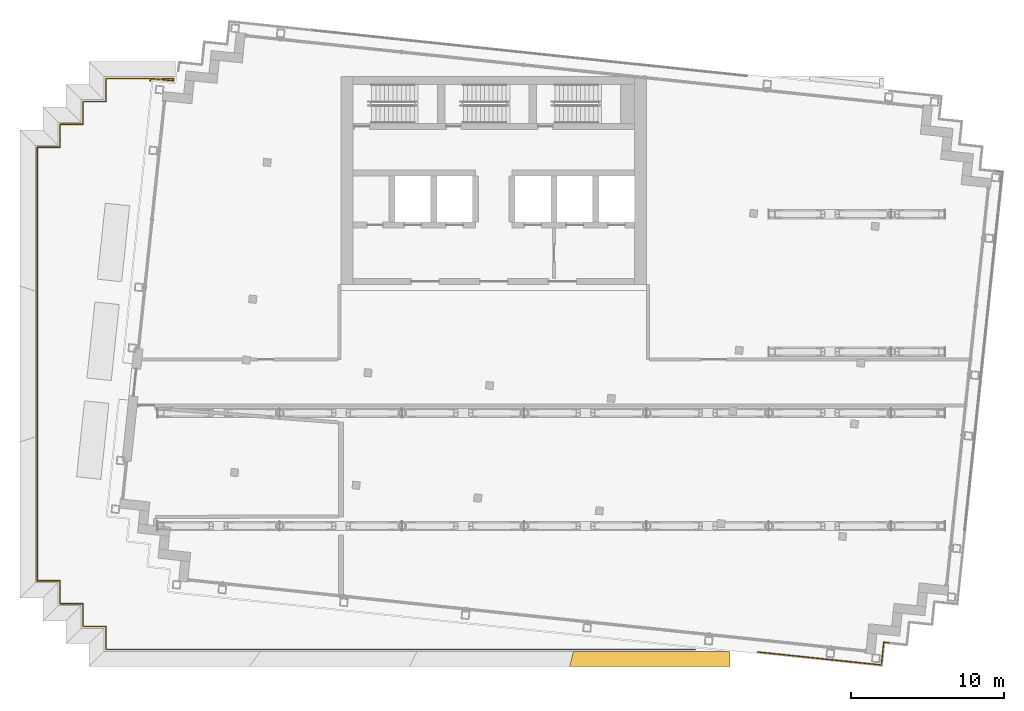
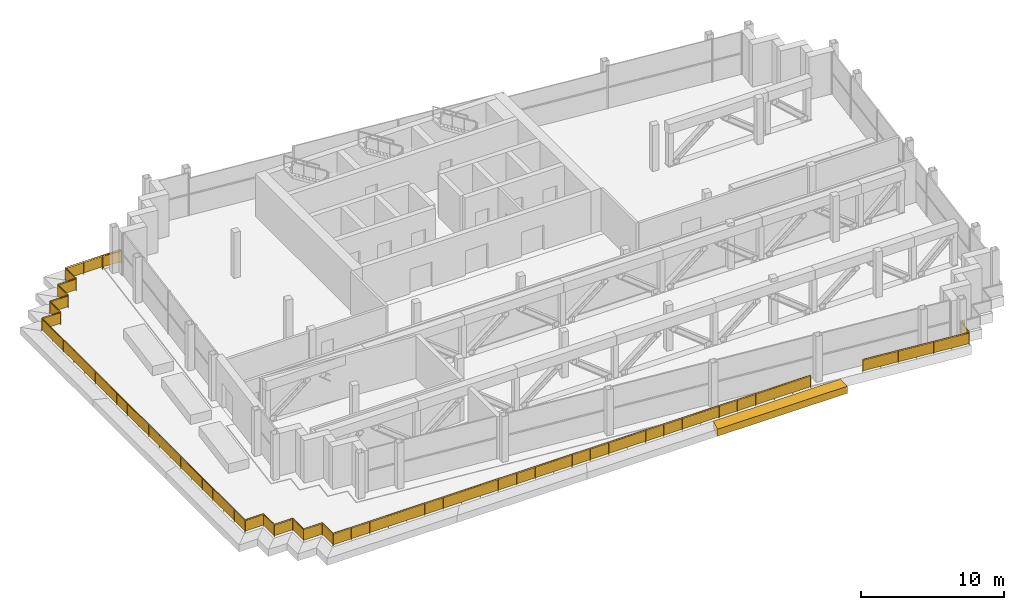
# One storey, part 15 of 18: 2 railings, 1 shading device.
"""IFC4 building model written with IfcOpenShell, lengths in metres."""

from ifc_helpers import new_model, si_unit, direction, frame, origin, origin_2d, place, context, subcontext, project, spatial, polyline, rectangle, circle, outline, extrude, material, layer, layer_set, type_object, element, save


model = new_model("IFC4")

# Units and contexts
model_context = context("Model", 3, precision=1e-05, world=origin(), true_north=direction((0.0, 1.0)))
body_context = subcontext(model_context, "Body", "Model", "MODEL_VIEW")
ifc_project = project(units=[si_unit("LENGTHUNIT", "METRE"), si_unit("AREAUNIT", "SQUARE_METRE"), si_unit("VOLUMEUNIT", "CUBIC_METRE"), si_unit("PLANEANGLEUNIT", "RADIAN"), si_unit("MASSUNIT", "GRAM", prefix="KILO")], contexts=[model_context])

# Site, building, storey
site_placement = place(None, origin())
site = spatial("IfcSite", under=ifc_project, at=site_placement, CompositionType="ELEMENT")
building_placement = place(site_placement, origin())
building = spatial("IfcBuilding", under=site, at=building_placement, Name="Vidyagriha Tower", CompositionType="ELEMENT")
storey_placement = place(building_placement, frame((0.0, 0.0, 249.199951171875)))
storey = spatial("IfcBuildingStorey", under=building, at=storey_placement, Name="L64", CompositionType="ELEMENT", Elevation=249.199951171875)

# Shading device
ifc_material_1 = material(Name="Precast concrete C40/50 with brick facing", Category="concrete")
ifc_layer = layer(ifc_material_1, 1.0)
ifc_layer_set = layer_set([ifc_layer], Name="Precast concrete C40/50 with brick facing")
shading_device_type = type_object("IfcShadingDeviceType", Name="Brick chhajja fascia 600", PredefinedType="USERDEFINED", material=ifc_layer_set)
shading_device_placement = place(storey_placement, frame((0.0, 0.0, -0.599853515625)))
element("IfcShadingDevice", 1, at=shading_device_placement, inside=storey, type_object=shading_device_type, Name="Chhajja fascia TR-B6-1 20", ObjectType="CHHAJJA", PredefinedType="USERDEFINED", context=body_context, shape_type="SweptSolid", body=[
    extrude(outline(polyline([(5.2080078125, -17.60009765625), (4.9580078125, -18.60009765625), (15.444091796875, -18.60009765625), (15.444091796875, -17.60009765625), (5.2080078125, -17.60009765625)])), origin(), (0.0, 0.0, 1.0), 0.599853515625),
])

# Railings
ifc_material_2 = material(Name="Steel ASTM A500 Grade C black painted", Category="steel")
railing_type_1 = type_object("IfcRailingType", Name="Gallery guard 1100", PredefinedType="GUARDRAIL", material=ifc_material_2)
railing_1_placement = place(storey_placement, frame((25.8271484375, -17.0322265625, 0.0)))
element("IfcRailing", 2, at=railing_1_placement, inside=storey, type_object=railing_type_1, Name="Gallery guard L64 9", PredefinedType="GUARDRAIL", context=body_context, shape_type="SweptSolid", body=[
    extrude(circle(Radius=0.02490234375, at=origin_2d()), frame((0.0, 0.0, 1.0751953125), z_axis=(-0.994526328277, 0.104486278354, 0.0), x_axis=(-0.104486278354, -0.994526328277, 0.0)), (0.0, 0.0, 1.0), 0.320068359375),
    extrude(circle(Radius=0.02490234375, at=origin_2d()), frame((-0.318359375, 0.033447265625, 1.0751953125), z_axis=(-0.104498377516, -0.994525057048, 0.0), x_axis=(0.994525057048, -0.104498377516, 0.0)), (0.0, 0.0, 1.0), 1.5),
    extrude(circle(Radius=0.02490234375, at=origin_2d()), frame((-0.47509765625, -1.458251953125, 1.0751953125), z_axis=(-0.994522833816, 0.104519534149, 0.0), x_axis=(-0.104519534149, -0.994522833816, 0.0)), (0.0, 0.0, 1.0), 8.152099609375),
    extrude(circle(Radius=0.02001953125, at=origin_2d()), origin(), (0.0, 0.0, 1.0), 1.050048828125),
    extrude(circle(Radius=0.02001953125, at=origin_2d()), frame((-0.318359375, 0.033447265625, 0.0)), (0.0, 0.0, 1.0), 1.050048828125),
    extrude(circle(Radius=0.02001953125, at=origin_2d()), frame((-0.47509765625, -1.458251953125, 0.0)), (0.0, 0.0, 1.0), 1.050048828125),
    extrude(circle(Radius=0.02001953125, at=origin_2d()), frame((-1.826416015625, -1.316162109375, 0.0)), (0.0, 0.0, 1.0), 1.050048828125),
    extrude(circle(Radius=0.02001953125, at=origin_2d()), frame((-3.177490234375, -1.17431640625, 0.0)), (0.0, 0.0, 1.0), 1.050048828125),
    extrude(circle(Radius=0.02001953125, at=origin_2d()), frame((-4.52880859375, -1.0322265625, 0.0)), (0.0, 0.0, 1.0), 1.050048828125),
    extrude(circle(Radius=0.02001953125, at=origin_2d()), frame((-5.880126953125, -0.89013671875, 0.0)), (0.0, 0.0, 1.0), 1.050048828125),
    extrude(circle(Radius=0.02001953125, at=origin_2d()), frame((-7.231201171875, -0.748291015625, 0.0)), (0.0, 0.0, 1.0), 1.050048828125),
    extrude(circle(Radius=0.02001953125, at=origin_2d()), frame((-8.58251953125, -0.606201171875, 0.0)), (0.0, 0.0, 1.0), 1.050048828125),
    extrude(rectangle(XDim=0.010009765625, YDim=0.900146484375, at=origin_2d()), frame((0.0, 0.0, 0.550048828125), z_axis=(-0.994526328277, 0.104486278354, 0.0), x_axis=(-0.104486278354, -0.994526328277, 0.0)), (0.0, 0.0, 1.0), 0.320068359375),
    extrude(rectangle(XDim=0.010009765625, YDim=0.900146484375, at=origin_2d()), frame((-0.318359375, 0.033447265625, 0.550048828125), z_axis=(-0.104498377516, -0.994525057048, 0.0), x_axis=(0.994525057048, -0.104498377516, 0.0)), (0.0, 0.0, 1.0), 1.5),
    extrude(rectangle(XDim=0.010009765625, YDim=0.900146484375, at=origin_2d()), frame((-0.47509765625, -1.458251953125, 0.550048828125), z_axis=(-0.994522833816, 0.104519534149, 0.0), x_axis=(-0.104519534149, -0.994522833816, 0.0)), (0.0, 0.0, 1.0), 8.152099609375),
])
ifc_material_3 = material(Name="Steel ASTM A500 Grade C black painted", Category="steel")
railing_type_2 = type_object("IfcRailingType", Name="Terrace guard 1100", PredefinedType="GUARDRAIL", material=ifc_material_3)
railing_2_placement = place(storey_placement, frame((13.154296875, -17.47998046875, 0.0)))
element("IfcRailing", 3, at=railing_2_placement, inside=storey, type_object=railing_type_2, Name="Terrace guard TR-B6-1 1", PredefinedType="GUARDRAIL", context=body_context, shape_type="SweptSolid", body=[
    extrude(circle(Radius=0.02490234375, at=origin_2d()), frame((0.0, 0.0, 1.0751953125), z_axis=(-1.0, 0.0, 0.0), x_axis=(0.0, -1.0, 0.0)), (0.0, 0.0, 1.0), 38.5341796875),
    extrude(circle(Radius=0.02490234375, at=origin_2d()), frame((-38.5341796875, 0.0, 1.0751953125), z_axis=(0.0, 1.0, 0.0), x_axis=(-1.0, 0.0, 0.0)), (0.0, 0.0, 1.0), 1.5),
    extrude(circle(Radius=0.02490234375, at=origin_2d()), frame((-38.5341796875, 1.5, 1.0751953125), z_axis=(-1.0, 0.0, 0.0), x_axis=(0.0, -1.0, 0.0)), (0.0, 0.0, 1.0), 1.5),
    extrude(circle(Radius=0.02490234375, at=origin_2d()), frame((-40.0341796875, 1.5, 1.0751953125), z_axis=(0.0, 1.0, 0.0), x_axis=(-1.0, 0.0, 0.0)), (0.0, 0.0, 1.0), 1.5),
    extrude(circle(Radius=0.02490234375, at=origin_2d()), frame((-40.0341796875, 3.0, 1.0751953125), z_axis=(-1.0, 0.0, 0.0), x_axis=(0.0, -1.0, 0.0)), (0.0, 0.0, 1.0), 1.5),
    extrude(circle(Radius=0.02490234375, at=origin_2d()), frame((-41.5341796875, 3.0, 1.0751953125), z_axis=(0.0, 1.0, 0.0), x_axis=(-1.0, 0.0, 0.0)), (0.0, 0.0, 1.0), 1.5),
    extrude(circle(Radius=0.02490234375, at=origin_2d()), frame((-41.5341796875, 4.5, 1.0751953125), z_axis=(-1.0, 0.0, 0.0), x_axis=(0.0, -1.0, 0.0)), (0.0, 0.0, 1.0), 1.5),
    extrude(circle(Radius=0.02490234375, at=origin_2d()), frame((-43.0341796875, 4.5, 1.0751953125), z_axis=(0.0, 1.0, 0.0), x_axis=(-1.0, 0.0, 0.0)), (0.0, 0.0, 1.0), 28.35986328125),
    extrude(circle(Radius=0.02490234375, at=origin_2d()), frame((-43.0341796875, 32.85986328125, 1.0751953125), z_axis=(1.0, 0.0, 0.0), x_axis=(0.0, 1.0, 0.0)), (0.0, 0.0, 1.0), 1.5),
    extrude(circle(Radius=0.02490234375, at=origin_2d()), frame((-41.5341796875, 32.85986328125, 1.0751953125), z_axis=(0.0, 1.0, 0.0), x_axis=(-1.0, 0.0, 0.0)), (0.0, 0.0, 1.0), 1.5),
    extrude(circle(Radius=0.02490234375, at=origin_2d()), frame((-41.5341796875, 34.35986328125, 1.0751953125), z_axis=(1.0, 0.0, 0.0), x_axis=(0.0, 1.0, 0.0)), (0.0, 0.0, 1.0), 1.5),
    extrude(circle(Radius=0.02490234375, at=origin_2d()), frame((-40.0341796875, 34.35986328125, 1.0751953125), z_axis=(0.0, 1.0, 0.0), x_axis=(-1.0, 0.0, 0.0)), (0.0, 0.0, 1.0), 1.5),
    extrude(circle(Radius=0.02490234375, at=origin_2d()), frame((-40.0341796875, 35.85986328125, 1.0751953125), z_axis=(1.0, 0.0, 0.0), x_axis=(0.0, 1.0, 0.0)), (0.0, 0.0, 1.0), 1.5),
    extrude(circle(Radius=0.02490234375, at=origin_2d()), frame((-38.5341796875, 35.85986328125, 1.0751953125), z_axis=(0.0, 1.0, 0.0), x_axis=(-1.0, 0.0, 0.0)), (0.0, 0.0, 1.0), 1.5),
    extrude(circle(Radius=0.02490234375, at=origin_2d()), frame((-38.5341796875, 37.35986328125, 1.0751953125), z_axis=(1.0, 0.0, 0.0), x_axis=(0.0, 1.0, 0.0)), (0.0, 0.0, 1.0), 4.4189453125),
    extrude(circle(Radius=0.02490234375, at=origin_2d()), frame((-34.115234375, 37.35986328125, 1.0751953125), z_axis=(-0.104684784518, -0.994505452921, 0.0), x_axis=(0.994505452921, -0.104684784518, 0.0)), (0.0, 0.0, 1.0), 0.149169921875),
    extrude(circle(Radius=0.02490234375, at=origin_2d()), frame((-34.130859375, 37.21142578125, 1.0751953125), z_axis=(-0.994522491165, 0.104522794488, 0.0), x_axis=(-0.104522794488, -0.994522491165, 0.0)), (0.0, 0.0, 1.0), 1.333740234375),
    extrude(circle(Radius=0.02490234375, at=origin_2d()), frame((-35.457275390625, 37.350830078125, 1.0751953125), z_axis=(-0.99856813227, 0.053494721372, 0.0), x_axis=(-0.053494721372, -0.99856813227, 0.0)), (0.0, 0.0, 1.0), 0.013671875),
    extrude(circle(Radius=0.02490234375, at=origin_2d()), frame((-35.470947265625, 37.3515625, 1.0751953125), z_axis=(-0.998792837062, -0.0491209592, 0.0), x_axis=(0.0491209592, -0.998792837062, 0.0)), (0.0, 0.0, 1.0), 0.014892578125),
    extrude(circle(Radius=0.02490234375, at=origin_2d()), frame((-35.48583984375, 37.350830078125, 1.0751953125), z_axis=(-0.993345736033, -0.11517052012, 0.0), x_axis=(0.11517052012, -0.993345736033, 0.0)), (0.0, 0.0, 1.0), 0.016845703125),
    extrude(circle(Radius=0.02490234375, at=origin_2d()), frame((-35.502685546875, 37.348876953125, 1.0751953125), z_axis=(-0.968492932597, -0.249041039811, 0.0), x_axis=(0.249041039811, -0.968492932597, 0.0)), (0.0, 0.0, 1.0), 0.017578125),
    extrude(circle(Radius=0.02490234375, at=origin_2d()), frame((-35.519775390625, 37.344482421875, 1.0751953125), z_axis=(-0.945686599305, -0.325079768511, 0.0), x_axis=(0.325079768511, -0.945686599305, 0.0)), (0.0, 0.0, 1.0), 0.0166015625),
    extrude(circle(Radius=0.02490234375, at=origin_2d()), frame((-35.535400390625, 37.339111328125, 1.0751953125), z_axis=(-0.902860518824, -0.429933580392, 0.0), x_axis=(0.429933580392, -0.902860518824, 0.0)), (0.0, 0.0, 1.0), 0.01708984375),
    extrude(circle(Radius=0.02490234375, at=origin_2d()), frame((-35.55078125, 37.331787109375, 1.0751953125), z_axis=(-0.858819504967, -0.512278301208, 0.0), x_axis=(0.512278301208, -0.858819504967, 0.0)), (0.0, 0.0, 1.0), 0.01611328125),
    extrude(circle(Radius=0.02490234375, at=origin_2d()), frame((-35.564697265625, 37.323486328125, 1.0751953125), z_axis=(-0.816577498284, -0.577235817752, 0.0), x_axis=(0.577235817752, -0.816577498284, 0.0)), (0.0, 0.0, 1.0), 0.017333984375),
    extrude(circle(Radius=0.02490234375, at=origin_2d()), frame((-35.578857421875, 37.3134765625, 1.0751953125), z_axis=(-0.735355995929, -0.677681015856, 0.0), x_axis=(0.677681015856, -0.735355995929, 0.0)), (0.0, 0.0, 1.0), 0.016845703125),
    extrude(circle(Radius=0.02490234375, at=origin_2d()), frame((-35.59130859375, 37.302001953125, 1.0751953125), z_axis=(-0.682883878065, -0.730526939325, 0.0), x_axis=(0.730526939325, -0.682883878065, 0.0)), (0.0, 0.0, 1.0), 0.015380859375),
    extrude(circle(Radius=0.02490234375, at=origin_2d()), frame((-35.601806640625, 37.290771484375, 1.0751953125), z_axis=(-0.60902605709, -0.793150213885, 0.0), x_axis=(0.793150213885, -0.60902605709, 0.0)), (0.0, 0.0, 1.0), 0.017333984375),
    extrude(circle(Radius=0.02490234375, at=origin_2d()), frame((-35.6123046875, 37.277099609375, 1.0751953125), z_axis=(-0.505719499712, -0.862697970098, 0.0), x_axis=(0.862697970098, -0.505719499712, 0.0)), (0.0, 0.0, 1.0), 0.016357421875),
    extrude(circle(Radius=0.02490234375, at=origin_2d()), frame((-35.62060546875, 37.262939453125, 1.0751953125), z_axis=(-0.441507651219, -0.897257484736, 0.0), x_axis=(0.897257484736, -0.441507651219, 0.0)), (0.0, 0.0, 1.0), 0.01708984375),
    extrude(circle(Radius=0.02490234375, at=origin_2d()), frame((-35.628173828125, 37.24755859375, 1.0751953125), z_axis=(-0.333578650439, -0.942722272979, 0.0), x_axis=(0.942722272979, -0.333578650439, 0.0)), (0.0, 0.0, 1.0), 0.016845703125),
    extrude(circle(Radius=0.02490234375, at=origin_2d()), frame((-35.6337890625, 37.231689453125, 1.0751953125), z_axis=(-0.253027744394, -0.967459022681, 0.0), x_axis=(0.967459022681, -0.253027744394, 0.0)), (0.0, 0.0, 1.0), 0.016357421875),
    extrude(circle(Radius=0.02490234375, at=origin_2d()), frame((-35.637939453125, 37.2158203125, 1.0751953125), z_axis=(-0.153337329832, -0.988173903359, 0.0), x_axis=(0.988173903359, -0.153337329832, 0.0)), (0.0, 0.0, 1.0), 0.014404296875),
    extrude(circle(Radius=0.02001953125, at=origin_2d()), origin(), (0.0, 0.0, 1.0), 1.050048828125),
    extrude(circle(Radius=0.02001953125, at=origin_2d()), frame((-1.482177734375, 0.0, 0.0)), (0.0, 0.0, 1.0), 1.050048828125),
    extrude(circle(Radius=0.02001953125, at=origin_2d()), frame((-2.964111328125, 0.0, 0.0)), (0.0, 0.0, 1.0), 1.050048828125),
    extrude(circle(Radius=0.02001953125, at=origin_2d()), frame((-4.4462890625, 0.0, 0.0)), (0.0, 0.0, 1.0), 1.050048828125),
    extrude(circle(Radius=0.02001953125, at=origin_2d()), frame((-5.92822265625, 0.0, 0.0)), (0.0, 0.0, 1.0), 1.050048828125),
    extrude(circle(Radius=0.02001953125, at=origin_2d()), frame((-7.410400390625, 0.0, 0.0)), (0.0, 0.0, 1.0), 1.050048828125),
    extrude(circle(Radius=0.02001953125, at=origin_2d()), frame((-8.892578125, 0.0, 0.0)), (0.0, 0.0, 1.0), 1.050048828125),
    extrude(circle(Radius=0.02001953125, at=origin_2d()), frame((-10.37451171875, 0.0, 0.0)), (0.0, 0.0, 1.0), 1.050048828125),
    extrude(circle(Radius=0.02001953125, at=origin_2d()), frame((-11.856689453125, 0.0, 0.0)), (0.0, 0.0, 1.0), 1.050048828125),
    extrude(circle(Radius=0.02001953125, at=origin_2d()), frame((-13.3388671875, 0.0, 0.0)), (0.0, 0.0, 1.0), 1.050048828125),
    extrude(circle(Radius=0.02001953125, at=origin_2d()), frame((-14.82080078125, 0.0, 0.0)), (0.0, 0.0, 1.0), 1.050048828125),
    extrude(circle(Radius=0.02001953125, at=origin_2d()), frame((-16.302978515625, 0.0, 0.0)), (0.0, 0.0, 1.0), 1.050048828125),
    extrude(circle(Radius=0.02001953125, at=origin_2d()), frame((-17.784912109375, 0.0, 0.0)), (0.0, 0.0, 1.0), 1.050048828125),
    extrude(circle(Radius=0.02001953125, at=origin_2d()), frame((-19.26708984375, 0.0, 0.0)), (0.0, 0.0, 1.0), 1.050048828125),
    extrude(circle(Radius=0.02001953125, at=origin_2d()), frame((-20.749267578125, 0.0, 0.0)), (0.0, 0.0, 1.0), 1.050048828125),
    extrude(circle(Radius=0.02001953125, at=origin_2d()), frame((-22.231201171875, 0.0, 0.0)), (0.0, 0.0, 1.0), 1.050048828125),
    extrude(circle(Radius=0.02001953125, at=origin_2d()), frame((-23.71337890625, 0.0, 0.0)), (0.0, 0.0, 1.0), 1.050048828125),
    extrude(circle(Radius=0.02001953125, at=origin_2d()), frame((-25.1953125, 0.0, 0.0)), (0.0, 0.0, 1.0), 1.050048828125),
    extrude(circle(Radius=0.02001953125, at=origin_2d()), frame((-26.677490234375, 0.0, 0.0)), (0.0, 0.0, 1.0), 1.050048828125),
    extrude(circle(Radius=0.02001953125, at=origin_2d()), frame((-28.15966796875, 0.0, 0.0)), (0.0, 0.0, 1.0), 1.050048828125),
    extrude(circle(Radius=0.02001953125, at=origin_2d()), frame((-29.6416015625, 0.0, 0.0)), (0.0, 0.0, 1.0), 1.050048828125),
    extrude(circle(Radius=0.02001953125, at=origin_2d()), frame((-31.123779296875, 0.0, 0.0)), (0.0, 0.0, 1.0), 1.050048828125),
    extrude(circle(Radius=0.02001953125, at=origin_2d()), frame((-32.60595703125, 0.0, 0.0)), (0.0, 0.0, 1.0), 1.050048828125),
    extrude(circle(Radius=0.02001953125, at=origin_2d()), frame((-34.087890625, 0.0, 0.0)), (0.0, 0.0, 1.0), 1.050048828125),
    extrude(circle(Radius=0.02001953125, at=origin_2d()), frame((-35.570068359375, 0.0, 0.0)), (0.0, 0.0, 1.0), 1.050048828125),
    extrude(circle(Radius=0.02001953125, at=origin_2d()), frame((-37.052001953125, 0.0, 0.0)), (0.0, 0.0, 1.0), 1.050048828125),
    extrude(circle(Radius=0.02001953125, at=origin_2d()), frame((-38.5341796875, 0.0, 0.0)), (0.0, 0.0, 1.0), 1.050048828125),
    extrude(circle(Radius=0.02001953125, at=origin_2d()), frame((-38.5341796875, 1.5, 0.0)), (0.0, 0.0, 1.0), 1.050048828125),
    extrude(circle(Radius=0.02001953125, at=origin_2d()), frame((-40.0341796875, 1.5, 0.0)), (0.0, 0.0, 1.0), 1.050048828125),
    extrude(circle(Radius=0.02001953125, at=origin_2d()), frame((-40.0341796875, 3.0, 0.0)), (0.0, 0.0, 1.0), 1.050048828125),
    extrude(circle(Radius=0.02001953125, at=origin_2d()), frame((-41.5341796875, 3.0, 0.0)), (0.0, 0.0, 1.0), 1.050048828125),
    extrude(circle(Radius=0.02001953125, at=origin_2d()), frame((-41.5341796875, 4.5, 0.0)), (0.0, 0.0, 1.0), 1.050048828125),
    extrude(circle(Radius=0.02001953125, at=origin_2d()), frame((-43.0341796875, 4.5, 0.0)), (0.0, 0.0, 1.0), 1.050048828125),
    extrude(circle(Radius=0.02001953125, at=origin_2d()), frame((-43.0341796875, 5.99267578125, 0.0)), (0.0, 0.0, 1.0), 1.050048828125),
    extrude(circle(Radius=0.02001953125, at=origin_2d()), frame((-43.0341796875, 7.4853515625, 0.0)), (0.0, 0.0, 1.0), 1.050048828125),
    extrude(circle(Radius=0.02001953125, at=origin_2d()), frame((-43.0341796875, 8.977783203125, 0.0)), (0.0, 0.0, 1.0), 1.050048828125),
    extrude(circle(Radius=0.02001953125, at=origin_2d()), frame((-43.0341796875, 10.470458984375, 0.0)), (0.0, 0.0, 1.0), 1.050048828125),
    extrude(circle(Radius=0.02001953125, at=origin_2d()), frame((-43.0341796875, 11.963134765625, 0.0)), (0.0, 0.0, 1.0), 1.050048828125),
    extrude(circle(Radius=0.02001953125, at=origin_2d()), frame((-43.0341796875, 13.455810546875, 0.0)), (0.0, 0.0, 1.0), 1.050048828125),
    extrude(circle(Radius=0.02001953125, at=origin_2d()), frame((-43.0341796875, 14.948486328125, 0.0)), (0.0, 0.0, 1.0), 1.050048828125),
    extrude(circle(Radius=0.02001953125, at=origin_2d()), frame((-43.0341796875, 16.44091796875, 0.0)), (0.0, 0.0, 1.0), 1.050048828125),
    extrude(circle(Radius=0.02001953125, at=origin_2d()), frame((-43.0341796875, 17.93359375, 0.0)), (0.0, 0.0, 1.0), 1.050048828125),
    extrude(circle(Radius=0.02001953125, at=origin_2d()), frame((-43.0341796875, 19.42626953125, 0.0)), (0.0, 0.0, 1.0), 1.050048828125),
    extrude(circle(Radius=0.02001953125, at=origin_2d()), frame((-43.0341796875, 20.9189453125, 0.0)), (0.0, 0.0, 1.0), 1.050048828125),
    extrude(circle(Radius=0.02001953125, at=origin_2d()), frame((-43.0341796875, 22.411376953125, 0.0)), (0.0, 0.0, 1.0), 1.050048828125),
    extrude(circle(Radius=0.02001953125, at=origin_2d()), frame((-43.0341796875, 23.904052734375, 0.0)), (0.0, 0.0, 1.0), 1.050048828125),
    extrude(circle(Radius=0.02001953125, at=origin_2d()), frame((-43.0341796875, 25.396728515625, 0.0)), (0.0, 0.0, 1.0), 1.050048828125),
    extrude(circle(Radius=0.02001953125, at=origin_2d()), frame((-43.0341796875, 26.889404296875, 0.0)), (0.0, 0.0, 1.0), 1.050048828125),
    extrude(circle(Radius=0.02001953125, at=origin_2d()), frame((-43.0341796875, 28.382080078125, 0.0)), (0.0, 0.0, 1.0), 1.050048828125),
    extrude(circle(Radius=0.02001953125, at=origin_2d()), frame((-43.0341796875, 29.87451171875, 0.0)), (0.0, 0.0, 1.0), 1.050048828125),
    extrude(circle(Radius=0.02001953125, at=origin_2d()), frame((-43.0341796875, 31.3671875, 0.0)), (0.0, 0.0, 1.0), 1.050048828125),
    extrude(circle(Radius=0.02001953125, at=origin_2d()), frame((-43.0341796875, 32.85986328125, 0.0)), (0.0, 0.0, 1.0), 1.050048828125),
    extrude(circle(Radius=0.02001953125, at=origin_2d()), frame((-41.5341796875, 32.85986328125, 0.0)), (0.0, 0.0, 1.0), 1.050048828125),
    extrude(circle(Radius=0.02001953125, at=origin_2d()), frame((-41.5341796875, 34.35986328125, 0.0)), (0.0, 0.0, 1.0), 1.050048828125),
    extrude(circle(Radius=0.02001953125, at=origin_2d()), frame((-40.0341796875, 34.35986328125, 0.0)), (0.0, 0.0, 1.0), 1.050048828125),
    extrude(circle(Radius=0.02001953125, at=origin_2d()), frame((-40.0341796875, 35.85986328125, 0.0)), (0.0, 0.0, 1.0), 1.050048828125),
    extrude(circle(Radius=0.02001953125, at=origin_2d()), frame((-38.5341796875, 35.85986328125, 0.0)), (0.0, 0.0, 1.0), 1.050048828125),
    extrude(circle(Radius=0.02001953125, at=origin_2d()), frame((-38.5341796875, 37.35986328125, 0.0)), (0.0, 0.0, 1.0), 1.050048828125),
    extrude(circle(Radius=0.02001953125, at=origin_2d()), frame((-37.061279296875, 37.35986328125, 0.0)), (0.0, 0.0, 1.0), 1.050048828125),
    extrude(circle(Radius=0.02001953125, at=origin_2d()), frame((-35.588134765625, 37.35986328125, 0.0)), (0.0, 0.0, 1.0), 1.050048828125),
    extrude(circle(Radius=0.02001953125, at=origin_2d()), frame((-34.115234375, 37.35986328125, 0.0)), (0.0, 0.0, 1.0), 1.050048828125),
    extrude(circle(Radius=0.02001953125, at=origin_2d()), frame((-34.130859375, 37.21142578125, 0.0)), (0.0, 0.0, 1.0), 1.050048828125),
    extrude(circle(Radius=0.02001953125, at=origin_2d()), frame((-35.457275390625, 37.350830078125, 0.0)), (0.0, 0.0, 1.0), 1.050048828125),
    extrude(circle(Radius=0.02001953125, at=origin_2d()), frame((-35.470947265625, 37.3515625, 0.0)), (0.0, 0.0, 1.0), 1.050048828125),
    extrude(circle(Radius=0.02001953125, at=origin_2d()), frame((-35.48583984375, 37.350830078125, 0.0)), (0.0, 0.0, 1.0), 1.050048828125),
    extrude(circle(Radius=0.02001953125, at=origin_2d()), frame((-35.502685546875, 37.348876953125, 0.0)), (0.0, 0.0, 1.0), 1.050048828125),
    extrude(circle(Radius=0.02001953125, at=origin_2d()), frame((-35.519775390625, 37.344482421875, 0.0)), (0.0, 0.0, 1.0), 1.050048828125),
    extrude(circle(Radius=0.02001953125, at=origin_2d()), frame((-35.535400390625, 37.339111328125, 0.0)), (0.0, 0.0, 1.0), 1.050048828125),
    extrude(circle(Radius=0.02001953125, at=origin_2d()), frame((-35.55078125, 37.331787109375, 0.0)), (0.0, 0.0, 1.0), 1.050048828125),
    extrude(circle(Radius=0.02001953125, at=origin_2d()), frame((-35.564697265625, 37.323486328125, 0.0)), (0.0, 0.0, 1.0), 1.050048828125),
    extrude(circle(Radius=0.02001953125, at=origin_2d()), frame((-35.578857421875, 37.3134765625, 0.0)), (0.0, 0.0, 1.0), 1.050048828125),
    extrude(circle(Radius=0.02001953125, at=origin_2d()), frame((-35.59130859375, 37.302001953125, 0.0)), (0.0, 0.0, 1.0), 1.050048828125),
    extrude(circle(Radius=0.02001953125, at=origin_2d()), frame((-35.601806640625, 37.290771484375, 0.0)), (0.0, 0.0, 1.0), 1.050048828125),
    extrude(circle(Radius=0.02001953125, at=origin_2d()), frame((-35.6123046875, 37.277099609375, 0.0)), (0.0, 0.0, 1.0), 1.050048828125),
    extrude(circle(Radius=0.02001953125, at=origin_2d()), frame((-35.62060546875, 37.262939453125, 0.0)), (0.0, 0.0, 1.0), 1.050048828125),
    extrude(circle(Radius=0.02001953125, at=origin_2d()), frame((-35.628173828125, 37.24755859375, 0.0)), (0.0, 0.0, 1.0), 1.050048828125),
    extrude(circle(Radius=0.02001953125, at=origin_2d()), frame((-35.6337890625, 37.231689453125, 0.0)), (0.0, 0.0, 1.0), 1.050048828125),
    extrude(circle(Radius=0.02001953125, at=origin_2d()), frame((-35.637939453125, 37.2158203125, 0.0)), (0.0, 0.0, 1.0), 1.050048828125),
    extrude(circle(Radius=0.02001953125, at=origin_2d()), frame((-35.64013671875, 37.20166015625, 0.0)), (0.0, 0.0, 1.0), 1.050048828125),
    extrude(rectangle(XDim=0.010009765625, YDim=0.900146484375, at=origin_2d()), frame((0.0, 0.0, 0.550048828125), z_axis=(-1.0, 0.0, 0.0), x_axis=(0.0, -1.0, 0.0)), (0.0, 0.0, 1.0), 38.5341796875),
    extrude(rectangle(XDim=0.010009765625, YDim=0.900146484375, at=origin_2d()), frame((-38.5341796875, 0.0, 0.550048828125), z_axis=(0.0, 1.0, 0.0), x_axis=(-1.0, 0.0, 0.0)), (0.0, 0.0, 1.0), 1.5),
    extrude(rectangle(XDim=0.010009765625, YDim=0.900146484375, at=origin_2d()), frame((-38.5341796875, 1.5, 0.550048828125), z_axis=(-1.0, 0.0, 0.0), x_axis=(0.0, -1.0, 0.0)), (0.0, 0.0, 1.0), 1.5),
    extrude(rectangle(XDim=0.010009765625, YDim=0.900146484375, at=origin_2d()), frame((-40.0341796875, 1.5, 0.550048828125), z_axis=(0.0, 1.0, 0.0), x_axis=(-1.0, 0.0, 0.0)), (0.0, 0.0, 1.0), 1.5),
    extrude(rectangle(XDim=0.010009765625, YDim=0.900146484375, at=origin_2d()), frame((-40.0341796875, 3.0, 0.550048828125), z_axis=(-1.0, 0.0, 0.0), x_axis=(0.0, -1.0, 0.0)), (0.0, 0.0, 1.0), 1.5),
    extrude(rectangle(XDim=0.010009765625, YDim=0.900146484375, at=origin_2d()), frame((-41.5341796875, 3.0, 0.550048828125), z_axis=(0.0, 1.0, 0.0), x_axis=(-1.0, 0.0, 0.0)), (0.0, 0.0, 1.0), 1.5),
    extrude(rectangle(XDim=0.010009765625, YDim=0.900146484375, at=origin_2d()), frame((-41.5341796875, 4.5, 0.550048828125), z_axis=(-1.0, 0.0, 0.0), x_axis=(0.0, -1.0, 0.0)), (0.0, 0.0, 1.0), 1.5),
    extrude(rectangle(XDim=0.010009765625, YDim=0.900146484375, at=origin_2d()), frame((-43.0341796875, 4.5, 0.550048828125), z_axis=(0.0, 1.0, 0.0), x_axis=(-1.0, 0.0, 0.0)), (0.0, 0.0, 1.0), 28.35986328125),
    extrude(rectangle(XDim=0.010009765625, YDim=0.900146484375, at=origin_2d()), frame((-43.0341796875, 32.85986328125, 0.550048828125), z_axis=(1.0, 0.0, 0.0), x_axis=(0.0, 1.0, 0.0)), (0.0, 0.0, 1.0), 1.5),
    extrude(rectangle(XDim=0.010009765625, YDim=0.900146484375, at=origin_2d()), frame((-41.5341796875, 32.85986328125, 0.550048828125), z_axis=(0.0, 1.0, 0.0), x_axis=(-1.0, 0.0, 0.0)), (0.0, 0.0, 1.0), 1.5),
    extrude(rectangle(XDim=0.010009765625, YDim=0.900146484375, at=origin_2d()), frame((-41.5341796875, 34.35986328125, 0.550048828125), z_axis=(1.0, 0.0, 0.0), x_axis=(0.0, 1.0, 0.0)), (0.0, 0.0, 1.0), 1.5),
    extrude(rectangle(XDim=0.010009765625, YDim=0.900146484375, at=origin_2d()), frame((-40.0341796875, 34.35986328125, 0.550048828125), z_axis=(0.0, 1.0, 0.0), x_axis=(-1.0, 0.0, 0.0)), (0.0, 0.0, 1.0), 1.5),
    extrude(rectangle(XDim=0.010009765625, YDim=0.900146484375, at=origin_2d()), frame((-40.0341796875, 35.85986328125, 0.550048828125), z_axis=(1.0, 0.0, 0.0), x_axis=(0.0, 1.0, 0.0)), (0.0, 0.0, 1.0), 1.5),
    extrude(rectangle(XDim=0.010009765625, YDim=0.900146484375, at=origin_2d()), frame((-38.5341796875, 35.85986328125, 0.550048828125), z_axis=(0.0, 1.0, 0.0), x_axis=(-1.0, 0.0, 0.0)), (0.0, 0.0, 1.0), 1.5),
    extrude(rectangle(XDim=0.010009765625, YDim=0.900146484375, at=origin_2d()), frame((-38.5341796875, 37.35986328125, 0.550048828125), z_axis=(1.0, 0.0, 0.0), x_axis=(0.0, 1.0, 0.0)), (0.0, 0.0, 1.0), 4.4189453125),
    extrude(rectangle(XDim=0.010009765625, YDim=0.900146484375, at=origin_2d()), frame((-34.115234375, 37.35986328125, 0.550048828125), z_axis=(-0.104684784518, -0.994505452921, 0.0), x_axis=(0.994505452921, -0.104684784518, 0.0)), (0.0, 0.0, 1.0), 0.149169921875),
    extrude(rectangle(XDim=0.010009765625, YDim=0.900146484375, at=origin_2d()), frame((-34.130859375, 37.21142578125, 0.550048828125), z_axis=(-0.994522491165, 0.104522794488, 0.0), x_axis=(-0.104522794488, -0.994522491165, 0.0)), (0.0, 0.0, 1.0), 1.333740234375),
    extrude(rectangle(XDim=0.010009765625, YDim=0.900146484375, at=origin_2d()), frame((-35.457275390625, 37.350830078125, 0.550048828125), z_axis=(-0.99856813227, 0.053494721372, 0.0), x_axis=(-0.053494721372, -0.99856813227, 0.0)), (0.0, 0.0, 1.0), 0.013671875),
    extrude(rectangle(XDim=0.010009765625, YDim=0.900146484375, at=origin_2d()), frame((-35.470947265625, 37.3515625, 0.550048828125), z_axis=(-0.998792837062, -0.0491209592, 0.0), x_axis=(0.0491209592, -0.998792837062, 0.0)), (0.0, 0.0, 1.0), 0.014892578125),
    extrude(rectangle(XDim=0.010009765625, YDim=0.900146484375, at=origin_2d()), frame((-35.48583984375, 37.350830078125, 0.550048828125), z_axis=(-0.993345736033, -0.11517052012, 0.0), x_axis=(0.11517052012, -0.993345736033, 0.0)), (0.0, 0.0, 1.0), 0.016845703125),
    extrude(rectangle(XDim=0.010009765625, YDim=0.900146484375, at=origin_2d()), frame((-35.502685546875, 37.348876953125, 0.550048828125), z_axis=(-0.968492932597, -0.249041039811, 0.0), x_axis=(0.249041039811, -0.968492932597, 0.0)), (0.0, 0.0, 1.0), 0.017578125),
    extrude(rectangle(XDim=0.010009765625, YDim=0.900146484375, at=origin_2d()), frame((-35.519775390625, 37.344482421875, 0.550048828125), z_axis=(-0.945686599305, -0.325079768511, 0.0), x_axis=(0.325079768511, -0.945686599305, 0.0)), (0.0, 0.0, 1.0), 0.0166015625),
    extrude(rectangle(XDim=0.010009765625, YDim=0.900146484375, at=origin_2d()), frame((-35.535400390625, 37.339111328125, 0.550048828125), z_axis=(-0.902860518824, -0.429933580392, 0.0), x_axis=(0.429933580392, -0.902860518824, 0.0)), (0.0, 0.0, 1.0), 0.01708984375),
    extrude(rectangle(XDim=0.010009765625, YDim=0.900146484375, at=origin_2d()), frame((-35.55078125, 37.331787109375, 0.550048828125), z_axis=(-0.858819504967, -0.512278301208, 0.0), x_axis=(0.512278301208, -0.858819504967, 0.0)), (0.0, 0.0, 1.0), 0.01611328125),
    extrude(rectangle(XDim=0.010009765625, YDim=0.900146484375, at=origin_2d()), frame((-35.564697265625, 37.323486328125, 0.550048828125), z_axis=(-0.816577498284, -0.577235817752, 0.0), x_axis=(0.577235817752, -0.816577498284, 0.0)), (0.0, 0.0, 1.0), 0.017333984375),
    extrude(rectangle(XDim=0.010009765625, YDim=0.900146484375, at=origin_2d()), frame((-35.578857421875, 37.3134765625, 0.550048828125), z_axis=(-0.735355995929, -0.677681015856, 0.0), x_axis=(0.677681015856, -0.735355995929, 0.0)), (0.0, 0.0, 1.0), 0.016845703125),
    extrude(rectangle(XDim=0.010009765625, YDim=0.900146484375, at=origin_2d()), frame((-35.59130859375, 37.302001953125, 0.550048828125), z_axis=(-0.682883878065, -0.730526939325, 0.0), x_axis=(0.730526939325, -0.682883878065, 0.0)), (0.0, 0.0, 1.0), 0.015380859375),
    extrude(rectangle(XDim=0.010009765625, YDim=0.900146484375, at=origin_2d()), frame((-35.601806640625, 37.290771484375, 0.550048828125), z_axis=(-0.60902605709, -0.793150213885, 0.0), x_axis=(0.793150213885, -0.60902605709, 0.0)), (0.0, 0.0, 1.0), 0.017333984375),
    extrude(rectangle(XDim=0.010009765625, YDim=0.900146484375, at=origin_2d()), frame((-35.6123046875, 37.277099609375, 0.550048828125), z_axis=(-0.505719499712, -0.862697970098, 0.0), x_axis=(0.862697970098, -0.505719499712, 0.0)), (0.0, 0.0, 1.0), 0.016357421875),
    extrude(rectangle(XDim=0.010009765625, YDim=0.900146484375, at=origin_2d()), frame((-35.62060546875, 37.262939453125, 0.550048828125), z_axis=(-0.441507651219, -0.897257484736, 0.0), x_axis=(0.897257484736, -0.441507651219, 0.0)), (0.0, 0.0, 1.0), 0.01708984375),
    extrude(rectangle(XDim=0.010009765625, YDim=0.900146484375, at=origin_2d()), frame((-35.628173828125, 37.24755859375, 0.550048828125), z_axis=(-0.333578650439, -0.942722272979, 0.0), x_axis=(0.942722272979, -0.333578650439, 0.0)), (0.0, 0.0, 1.0), 0.016845703125),
    extrude(rectangle(XDim=0.010009765625, YDim=0.900146484375, at=origin_2d()), frame((-35.6337890625, 37.231689453125, 0.550048828125), z_axis=(-0.253027744394, -0.967459022681, 0.0), x_axis=(0.967459022681, -0.253027744394, 0.0)), (0.0, 0.0, 1.0), 0.016357421875),
    extrude(rectangle(XDim=0.010009765625, YDim=0.900146484375, at=origin_2d()), frame((-35.637939453125, 37.2158203125, 0.550048828125), z_axis=(-0.153337329832, -0.988173903359, 0.0), x_axis=(0.988173903359, -0.153337329832, 0.0)), (0.0, 0.0, 1.0), 0.014404296875),
])

save(model, "model.ifc")
